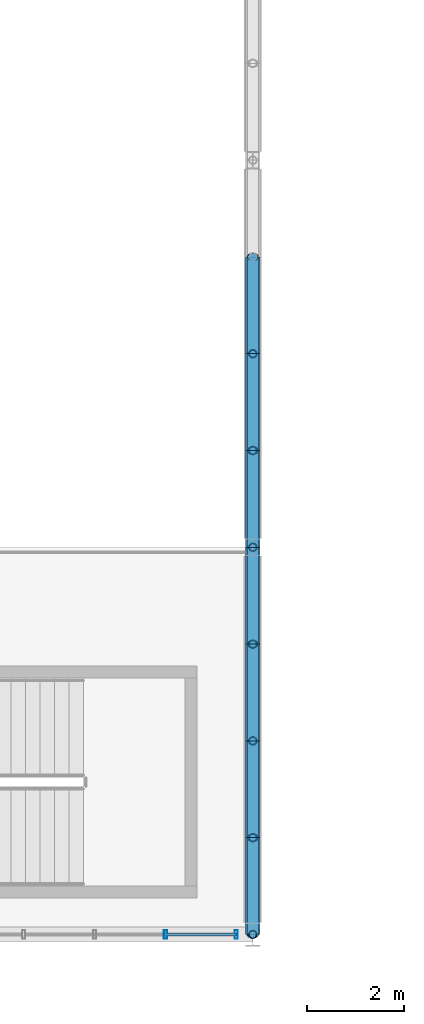
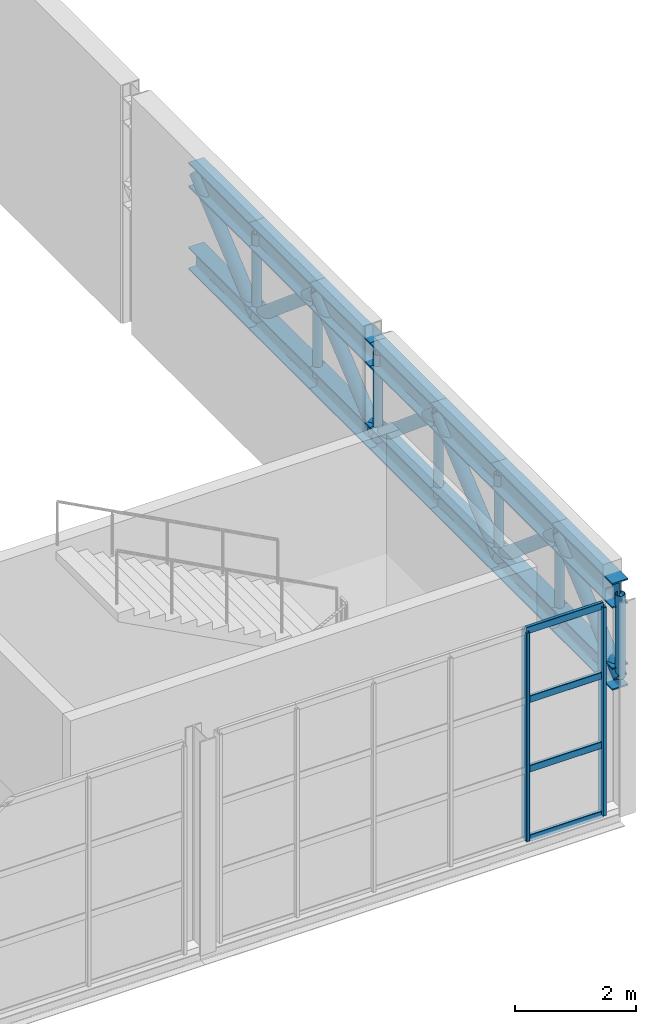
# One storey, part 86 of 143: 34 members, 1 element without a shape of its own.
"""IFC4 building model written with IfcOpenShell, lengths in metres."""

import ifcopenshell
import ifcopenshell.guid

model = None  # the IFC model being written
_history = None  # IfcOwnerHistory: only IFC2X3 demands one
_inside = {}  # id of a spatial element -> (the spatial element, [elements in it])
_under = {}  # id of a project, library or spatial element -> (it, [spatial elements below it])
_declared = {}  # id of a project -> (the project, [libraries it declares])
_typed = {}  # id of a type object -> (the type object, [elements of that type])
_made_of = {}  # id of a material, layer set ... -> (it, [elements and type objects made of it])


def new_model(schema):
    """Start an empty IFC model of exactly this schema.

    Asked for "IFC4X3", IfcOpenShell would pick the latest addendum, in which some entities
    have other attributes; the version numbers below select the first issue.
    IFC2X3 requires an IfcOwnerHistory on every rooted entity: one is made here for all.
    """
    global model, _history
    if schema == "IFC4X3":
        model = ifcopenshell.file(schema_version=(4, 3, 0, 0))
    else:
        model = ifcopenshell.file(schema=schema)
    _inside.clear()
    _under.clear()
    _declared.clear()
    _typed.clear()
    _made_of.clear()
    _history = None
    if model.schema == "IFC2X3":
        org = make("IfcOrganization", Name="unknown")
        user = make(
            "IfcPersonAndOrganization",
            ThePerson=make("IfcPerson", FamilyName="unknown"),
            TheOrganization=org,
        )
        app = make(
            "IfcApplication",
            ApplicationDeveloper=org,
            Version="unknown",
            ApplicationFullName="unknown",
            ApplicationIdentifier="unknown",
        )
        _history = make(
            "IfcOwnerHistory",
            OwningUser=user,
            OwningApplication=app,
            ChangeAction="ADDED",
            CreationDate=0,
        )
    return model


def make(cls, **values):
    """One entity of the class cls with the attributes given. An attribute that is None is left unset."""
    return model.create_entity(
        cls, **{name: value for name, value in values.items() if value is not None}
    )


def rooted(cls, **values):
    """An entity with a GlobalId (a new one), such as an element, a storey or a relation."""
    return make(cls, GlobalId=ifcopenshell.guid.new(), OwnerHistory=_history, **values)


def si_unit(unit_type, name, prefix=None):
    """IfcSIUnit, for example si_unit("LENGTHUNIT", "METRE", prefix="MILLI")."""
    return make("IfcSIUnit", UnitType=unit_type, Prefix=prefix, Name=name)


def derived_unit(unit_type, elements):
    """IfcDerivedUnit: a product of units, each with its exponent."""
    return make(
        "IfcDerivedUnit",
        Elements=[
            make("IfcDerivedUnitElement", Unit=unit, Exponent=power)
            for unit, power in elements
        ],
        UnitType=unit_type,
    )


def assignment(units):
    """IfcUnitAssignment: the units of a project."""
    return None if units is None else make("IfcUnitAssignment", Units=units)


def point(xyz):
    """IfcCartesianPoint."""
    return None if xyz is None else make("IfcCartesianPoint", Coordinates=xyz)


def direction(xyz):
    """IfcDirection."""
    return None if xyz is None else make("IfcDirection", DirectionRatios=xyz)


def frame(location, z_axis=None, x_axis=None):
    """IfcAxis2Placement3D, a coordinate frame: its origin and axes. An axis left out is left unset."""
    return make(
        "IfcAxis2Placement3D",
        Location=point(location),
        Axis=direction(z_axis),
        RefDirection=direction(x_axis),
    )


def frame_2d(location, x_axis=None):
    """IfcAxis2Placement2D, a coordinate frame in the plane: its origin and x axis."""
    return make(
        "IfcAxis2Placement2D", Location=point(location), RefDirection=direction(x_axis)
    )


def origin():
    """The frame at (0, 0, 0) with its axes left unset."""
    return frame((0.0, 0.0, 0.0))


def origin_2d():
    """The frame at (0, 0) in the plane with its x axis left unset."""
    return frame_2d((0.0, 0.0))


def place(relative_to, where):
    """IfcLocalPlacement: puts the frame where relative to a parent placement (None: the world)."""
    return make(
        "IfcLocalPlacement", PlacementRelTo=relative_to, RelativePlacement=where
    )


def context(
    kind, dimensions, precision=None, world=None, true_north=None, identifier=None
):
    """IfcGeometricRepresentationContext, for example the 3D "Model" context."""
    return make(
        "IfcGeometricRepresentationContext",
        ContextIdentifier=identifier,
        ContextType=kind,
        CoordinateSpaceDimension=dimensions,
        Precision=precision,
        WorldCoordinateSystem=world,
        TrueNorth=true_north,
    )


def subcontext(parent, identifier, kind, view, scale=None):
    """IfcGeometricRepresentationSubContext, for example "Body" below "Model"."""
    return make(
        "IfcGeometricRepresentationSubContext",
        ContextIdentifier=identifier,
        ContextType=kind,
        ParentContext=parent,
        TargetScale=scale,
        TargetView=view,
    )


def project(units=None, contexts=None):
    """IfcProject with its units and contexts."""
    return rooted(
        "IfcProject",
        Name="project",
        RepresentationContexts=contexts,
        UnitsInContext=assignment(units),
    )


def spatial(cls, under=None, at=None, **own):
    """A site, building, storey or space (cls), placed at a placement, below another one or the project."""
    s = rooted(cls, ObjectPlacement=at, **own)
    if under is not None:
        _under.setdefault(under.id(), (under, []))[1].append(s)
    return s


def profile(cls, at=None, kind="AREA", **sizes):
    """A parametric profile (cls). Its sizes go by their IFC names, for example OverallWidth=200.0."""
    return make(cls, ProfileType=kind, Position=at, **sizes)


def hollow_rectangle(**sizes):
    """IfcRectangleHollowProfileDef."""
    return profile("IfcRectangleHollowProfileDef", **sizes)


def hollow_circle(**sizes):
    """IfcCircleHollowProfileDef."""
    return profile("IfcCircleHollowProfileDef", **sizes)


def i_section(**sizes):
    """IfcIShapeProfileDef."""
    return profile("IfcIShapeProfileDef", **sizes)


def extrude(swept, where, along, depth):
    """IfcExtrudedAreaSolid: the profile swept, set in the frame where, extruded along a direction by depth."""
    return make(
        "IfcExtrudedAreaSolid",
        SweptArea=swept,
        Position=where,
        ExtrudedDirection=direction(along),
        Depth=depth,
    )


def shape(context_of_items, identifier, shape_type, items):
    """IfcShapeRepresentation: the items that make up one representation, for example the "Body"."""
    return make(
        "IfcShapeRepresentation",
        ContextOfItems=context_of_items,
        RepresentationIdentifier=identifier,
        RepresentationType=shape_type,
        Items=items,
    )


def material(Name=None, Category=None):
    """IfcMaterial."""
    return make("IfcMaterial", Name=Name, Category=Category)


def material_profile(
    of_material, cross_section, Name=None, Category=None, Priority=None
):
    """IfcMaterialProfile: a cross section and its material."""
    return make(
        "IfcMaterialProfile",
        Name=Name,
        Material=of_material,
        Profile=cross_section,
        Priority=Priority,
        Category=Category,
    )


def profile_set(profiles, Name=None, composite=None):
    """IfcMaterialProfileSet."""
    return make(
        "IfcMaterialProfileSet",
        Name=Name,
        MaterialProfiles=profiles,
        CompositeProfile=composite,
    )


def made_of(thing, what):
    """Note that an element or type object is made of a material, layer set ...; save() writes the relation."""
    if what is not None:
        _made_of.setdefault(what.id(), (what, []))[1].append(thing)
    return thing


def type_object(cls, material=None, **own):
    """A type object (cls), such as IfcWallType, which elements share."""
    return made_of(rooted(cls, **own), material)


def element(
    cls,
    number,
    at=None,
    inside=None,
    cuts=None,
    type_object=None,
    material=None,
    context=None,
    identifier="Body",
    shape_type=None,
    held_by="IfcProductDefinitionShape",
    body=None,
    shapes=None,
    **own,
):
    """One element of the class cls, such as IfcWall. Its Tag is "e" and its number.

    at: its placement. inside: the storey or other place that contains it. cuts: it is an
    opening in that element (IfcRelVoidsElement). A single representation is given by context,
    identifier, shape_type and body (its items); several are given by shapes. held_by: the class
    of the entity that holds the representations. save() writes the other relations.
    """
    e = rooted(cls, Tag="e%d" % number, ObjectPlacement=at, **own)
    if body is not None:
        shapes = [shape(context, identifier, shape_type, body)]
    if shapes is not None:
        e.Representation = make(held_by, Representations=shapes)
    if inside is not None:
        _inside.setdefault(inside.id(), (inside, []))[1].append(e)
    if cuts is not None:
        rooted(
            "IfcRelVoidsElement", RelatingBuildingElement=cuts, RelatedOpeningElement=e
        )
    if type_object is not None:
        _typed.setdefault(type_object.id(), (type_object, []))[1].append(e)
    return made_of(e, material)


def aggregate(whole, parts):
    """IfcRelAggregates: a whole, such as a stair, and the parts it consists of."""
    return rooted("IfcRelAggregates", RelatingObject=whole, RelatedObjects=parts)


def save(model, path):
    """Write the relations noted so far, then the file.

    IfcRelAggregates (storeys below a building ...), IfcRelContainedInSpatialStructure (elements
    in a storey), IfcRelDefinesByType, IfcRelAssociatesMaterial and IfcRelDeclares: one each for
    every whole, place, type object, material and project.
    """
    for whole, parts in _under.values():
        aggregate(whole, parts)
    for where, things in _inside.values():
        rooted(
            "IfcRelContainedInSpatialStructure",
            RelatedElements=things,
            RelatingStructure=where,
        )
    for kind, things in _typed.values():
        rooted("IfcRelDefinesByType", RelatedObjects=things, RelatingType=kind)
    for what, things in _made_of.values():
        rooted("IfcRelAssociatesMaterial", RelatedObjects=things, RelatingMaterial=what)
    for by, libraries in _declared.values():
        rooted("IfcRelDeclares", RelatingContext=by, RelatedDefinitions=libraries)
    model.write(path)


model = new_model("IFC4")

# Units and contexts
model_context = context("Model", 3, precision=1e-05, world=origin(), true_north=direction((0.0, 1.0)))
body_context = subcontext(model_context, "Body", "Model", "MODEL_VIEW")
ifc_project = project(units=[si_unit("LENGTHUNIT", "METRE"), si_unit("AREAUNIT", "SQUARE_METRE"), si_unit("VOLUMEUNIT", "CUBIC_METRE"), si_unit("PLANEANGLEUNIT", "RADIAN"), si_unit("MASSUNIT", "GRAM", prefix="KILO"), derived_unit("THERMALTRANSMITTANCEUNIT", [(si_unit("POWERUNIT", "WATT"), 1), (si_unit("LENGTHUNIT", "METRE"), -2), (si_unit("THERMODYNAMICTEMPERATUREUNIT", "KELVIN"), -1)])], contexts=[model_context])

# Site, building, storey
site_placement = place(None, origin())
site = spatial("IfcSite", under=ifc_project, at=site_placement, CompositionType="ELEMENT")
building_placement = place(site_placement, origin())
building = spatial("IfcBuilding", under=site, at=building_placement, Name="Keldorne Ridge Multi-Sports Centre", CompositionType="ELEMENT")
storey_placement = place(building_placement, frame((0.0, 0.0, 4.800048828125)))
storey = spatial("IfcBuildingStorey", under=building, at=storey_placement, Name="L01", CompositionType="ELEMENT", Elevation=4.800048828125)

# Curtain wall, members
ifc_material_1 = material(Name="Anodized aluminium", Category="aluminium")
curtain_wall_type = type_object("IfcCurtainWallType", Name="CW-CW-04", PredefinedType="NOTDEFINED", material=ifc_material_1)
curtain_wall_placement = place(storey_placement, origin())
curtain_wall = element("IfcCurtainWall", 1, at=curtain_wall_placement, inside=storey, type_object=curtain_wall_type, Name="Lower Courts high clerestory 132", PredefinedType="NOTDEFINED")
ifc_material_profile_1 = material_profile(ifc_material_1, hollow_rectangle(XDim=0.06494140625, YDim=0.179931640625, WallThickness=0.00439453125, InnerFilletRadius=0.00439453125, OuterFilletRadius=0.009033203125, at=origin_2d()), Name="ALU MULLION 180x65x4.5")
ifc_profile_set_1 = profile_set([ifc_material_profile_1], Name="Anodized aluminium")
member_type_1 = type_object("IfcMemberType", Name="MEM-ML-01", PredefinedType="MULLION", material=ifc_profile_set_1)
member_1_placement = place(storey_placement, frame((166.196044921875, 6.0, 0.0), z_axis=(0.0, 0.0, 1.0), x_axis=(1.0, 0.0, 0.0)))
member_1 = element("IfcMember", 2, at=member_1_placement, type_object=member_type_1, Name="CW-132 vertical mullion 5", PredefinedType="MULLION", context=body_context, shape_type="SweptSolid", body=[
    extrude(hollow_rectangle(XDim=0.06494140625, YDim=0.179931640625, WallThickness=0.00439453125, InnerFilletRadius=0.00439453125, OuterFilletRadius=0.009033203125, at=origin_2d()), origin(), (0.0, 0.0, 1.0), 4.199951171875),
])
member_2_placement = place(storey_placement, frame((167.659912109375, 6.0, 0.0), z_axis=(0.0, 0.0, 1.0), x_axis=(1.0, 0.0, 0.0)))
member_2 = element("IfcMember", 3, at=member_2_placement, type_object=member_type_1, Name="CW-132 vertical mullion 6", PredefinedType="MULLION", context=body_context, shape_type="SweptSolid", body=[
    extrude(hollow_rectangle(XDim=0.06494140625, YDim=0.179931640625, WallThickness=0.00439453125, InnerFilletRadius=0.00439453125, OuterFilletRadius=0.009033203125, at=origin_2d()), origin(), (0.0, 0.0, 1.0), 4.199951171875),
])

# Members
ifc_material_2 = material(Name="Steel S355", Category="steel")
ifc_material_profile_2 = material_profile(ifc_material_2, i_section(OverallWidth=0.300048828125, OverallDepth=0.5, WebThickness=0.014404296875, FlangeThickness=0.028076171875, FilletRadius=0.027099609375, at=origin_2d()), Name="HEB 500")
ifc_profile_set_2 = profile_set([ifc_material_profile_2], Name="Steel S355")
member_type_2 = type_object("IfcMemberType", Name="MEM-TC-03", PredefinedType="CHORD", material=ifc_profile_set_2)
for number, where, z_axis, x_axis, name in (
    (4, (168.0, 6.0, 4.31005859375), (0.0, 1.0, 0.0), (-1.0, 0.0, 0.0), "Stacked Courts Warren TRUSS WT-L02-09 top chord 1"),
    (5, (168.0, 8.0, 4.31005859375), (0.0, 1.0, 0.0), (-1.0, 0.0, 0.0), "Stacked Courts Warren TRUSS WT-L02-09 top chord 2"),
    (6, (168.0, 10.0, 4.31005859375), (0.0, 1.0, 0.0), (-1.0, 0.0, 0.0), "Stacked Courts Warren TRUSS WT-L02-09 top chord 3"),
    (7, (168.0, 12.0, 4.31005859375), (0.0, 1.0, 0.0), (-1.0, 0.0, 0.0), "Stacked Courts Warren TRUSS WT-L02-09 top chord 4"),
    (8, (168.0, 14.0, 4.31005859375), (0.0, 1.0, 0.0), (-1.0, 0.0, 0.0), "Stacked Courts Warren TRUSS WT-L02-09 top chord 5"),
    (9, (168.0, 16.0, 4.31005859375), (0.0, 1.0, 0.0), (-1.0, 0.0, 0.0), "Stacked Courts Warren TRUSS WT-L02-09 top chord 6"),
    (10, (168.0, 18.0, 4.31005859375), (0.0, 1.0, 0.0), (-1.0, 0.0, 0.0), "Stacked Courts Warren TRUSS WT-L02-09 top chord 7"),
):
    element("IfcMember", number, at=place(storey_placement, frame(where, z_axis=z_axis, x_axis=x_axis)), inside=storey, type_object=member_type_2, Name=name, PredefinedType="CHORD", context=body_context, shape_type="SweptSolid", body=[
        extrude(i_section(OverallWidth=0.300048828125, OverallDepth=0.5, WebThickness=0.014404296875, FlangeThickness=0.028076171875, FilletRadius=0.027099609375, at=origin_2d()), origin(), (0.0, 0.0, 1.0), 2.0),
    ])
ifc_material_profile_3 = material_profile(ifc_material_2, i_section(OverallWidth=0.300048828125, OverallDepth=0.449951171875, WebThickness=0.013916015625, FlangeThickness=0.02587890625, FilletRadius=0.027099609375, at=origin_2d()), Name="HEB 450")
ifc_profile_set_3 = profile_set([ifc_material_profile_3], Name="Steel S355")
member_type_3 = type_object("IfcMemberType", Name="MEM-TC-04", PredefinedType="CHORD", material=ifc_profile_set_3)
for number, where, z_axis, x_axis, name in (
    (11, (168.0, 6.0, 2.6298828125), (0.0, 1.0, 0.0), (-1.0, 0.0, 0.0), "Stacked Courts Warren TRUSS WT-L02-09 bottom chord 1"),
    (12, (168.0, 8.0, 2.6298828125), (0.0, 1.0, 0.0), (-1.0, 0.0, 0.0), "Stacked Courts Warren TRUSS WT-L02-09 bottom chord 2"),
    (13, (168.0, 10.0, 2.6298828125), (0.0, 1.0, 0.0), (-1.0, 0.0, 0.0), "Stacked Courts Warren TRUSS WT-L02-09 bottom chord 3"),
    (14, (168.0, 12.0, 2.6298828125), (0.0, 1.0, 0.0), (-1.0, 0.0, 0.0), "Stacked Courts Warren TRUSS WT-L02-09 bottom chord 4"),
    (15, (168.0, 14.0, 2.6298828125), (0.0, 1.0, 0.0), (-1.0, 0.0, 0.0), "Stacked Courts Warren TRUSS WT-L02-09 bottom chord 5"),
    (16, (168.0, 16.0, 2.6298828125), (0.0, 1.0, 0.0), (-1.0, 0.0, 0.0), "Stacked Courts Warren TRUSS WT-L02-09 bottom chord 6"),
    (17, (168.0, 18.0, 2.6298828125), (0.0, 1.0, 0.0), (-1.0, 0.0, 0.0), "Stacked Courts Warren TRUSS WT-L02-09 bottom chord 7"),
):
    element("IfcMember", number, at=place(storey_placement, frame(where, z_axis=z_axis, x_axis=x_axis)), inside=storey, type_object=member_type_3, Name=name, PredefinedType="CHORD", context=body_context, shape_type="SweptSolid", body=[
        extrude(i_section(OverallWidth=0.300048828125, OverallDepth=0.449951171875, WebThickness=0.013916015625, FlangeThickness=0.02587890625, FilletRadius=0.027099609375, at=origin_2d()), origin(), (0.0, 0.0, 1.0), 2.0),
    ])
ifc_material_profile_4 = material_profile(ifc_material_2, hollow_circle(Radius=0.122314453125, WallThickness=0.012451171875, at=origin_2d()), Name="CHS 244.5x12.5")
ifc_profile_set_4 = profile_set([ifc_material_profile_4], Name="Steel S355")
member_type_4 = type_object("IfcMemberType", Name="MEM-TD-02", PredefinedType="BRACE", material=ifc_profile_set_4)
for number, where, z_axis, x_axis, name in (
    (18, (168.0, 6.0, 2.6298828125), (0.0, 0.765671721121, 0.643231541108), (-1.0, 0.0, 0.0), "Stacked Courts Warren TRUSS WT-L02-09 diagonal 1"),
    (19, (168.0, 8.0, 4.31005859375), (0.0, 0.765671721121, -0.643231541108), (-1.0, 0.0, 0.0), "Stacked Courts Warren TRUSS WT-L02-09 diagonal 2"),
    (20, (168.0, 10.0, 2.6298828125), (0.0, 0.765671721121, 0.643231541108), (-1.0, 0.0, 0.0), "Stacked Courts Warren TRUSS WT-L02-09 diagonal 3"),
    (21, (168.0, 12.0, 4.31005859375), (0.0, 0.765671721121, -0.643231541108), (-1.0, 0.0, 0.0), "Stacked Courts Warren TRUSS WT-L02-09 diagonal 4"),
    (22, (168.0, 14.0, 2.6298828125), (0.0, 0.765671721121, 0.643231541108), (-1.0, 0.0, 0.0), "Stacked Courts Warren TRUSS WT-L02-09 diagonal 5"),
    (23, (168.0, 16.0, 4.31005859375), (0.0, 0.765671721121, -0.643231541108), (-1.0, 0.0, 0.0), "Stacked Courts Warren TRUSS WT-L02-09 diagonal 6"),
    (24, (168.0, 18.0, 2.6298828125), (0.0, 0.765671721121, 0.643231541108), (-1.0, 0.0, 0.0), "Stacked Courts Warren TRUSS WT-L02-09 diagonal 7"),
):
    element("IfcMember", number, at=place(storey_placement, frame(where, z_axis=z_axis, x_axis=x_axis)), inside=storey, type_object=member_type_4, Name=name, PredefinedType="BRACE", context=body_context, shape_type="SweptSolid", body=[
        extrude(hollow_circle(Radius=0.122314453125, WallThickness=0.012451171875, at=origin_2d()), origin(), (0.0, 0.0, 1.0), 2.612060546875),
    ])

# Member
ifc_material_profile_5 = material_profile(ifc_material_1, hollow_rectangle(XDim=0.06494140625, YDim=0.139892578125, WallThickness=0.00439453125, InnerFilletRadius=0.00439453125, OuterFilletRadius=0.009033203125, at=origin_2d()), Name="ALU TRANSOM 140x65x4.5")
ifc_profile_set_5 = profile_set([ifc_material_profile_5], Name="Anodized aluminium")
member_type_5 = type_object("IfcMemberType", Name="MEM-TR-01", PredefinedType="USERDEFINED", material=ifc_profile_set_5)
member_3_placement = place(storey_placement, frame((166.196044921875, 6.0, 0.0), z_axis=(1.0, 0.0, 0.0), x_axis=(0.0, 1.0, 0.0)))
member_3 = element("IfcMember", 25, at=member_3_placement, type_object=member_type_5, Name="CW-132 transom 5.1", ObjectType="TRANSOM", PredefinedType="USERDEFINED", context=body_context, shape_type="SweptSolid", body=[
    extrude(hollow_rectangle(XDim=0.06494140625, YDim=0.139892578125, WallThickness=0.00439453125, InnerFilletRadius=0.00439453125, OuterFilletRadius=0.009033203125, at=origin_2d()), origin(), (0.0, 0.0, 1.0), 1.4638671875),
])

member_4_placement = place(storey_placement, frame((166.196044921875, 6.0, 1.39990234375), z_axis=(1.0, 0.0, 0.0), x_axis=(0.0, 1.0, 0.0)))
member_4 = element("IfcMember", 26, at=member_4_placement, type_object=member_type_5, Name="CW-132 transom 5.2", ObjectType="TRANSOM", PredefinedType="USERDEFINED", context=body_context, shape_type="SweptSolid", body=[
    extrude(hollow_rectangle(XDim=0.06494140625, YDim=0.139892578125, WallThickness=0.00439453125, InnerFilletRadius=0.00439453125, OuterFilletRadius=0.009033203125, at=origin_2d()), origin(), (0.0, 0.0, 1.0), 1.4638671875),
])

member_5_placement = place(storey_placement, frame((166.196044921875, 6.0, 2.800048828125), z_axis=(1.0, 0.0, 0.0), x_axis=(0.0, 1.0, 0.0)))
member_5 = element("IfcMember", 27, at=member_5_placement, type_object=member_type_5, Name="CW-132 transom 5.3", ObjectType="TRANSOM", PredefinedType="USERDEFINED", context=body_context, shape_type="SweptSolid", body=[
    extrude(hollow_rectangle(XDim=0.06494140625, YDim=0.139892578125, WallThickness=0.00439453125, InnerFilletRadius=0.00439453125, OuterFilletRadius=0.009033203125, at=origin_2d()), origin(), (0.0, 0.0, 1.0), 1.4638671875),
])

member_6_placement = place(storey_placement, frame((166.196044921875, 6.0, 4.199951171875), z_axis=(1.0, 0.0, 0.0), x_axis=(0.0, 1.0, 0.0)))
member_6 = element("IfcMember", 28, at=member_6_placement, type_object=member_type_5, Name="CW-132 transom 5.4", ObjectType="TRANSOM", PredefinedType="USERDEFINED", context=body_context, shape_type="SweptSolid", body=[
    extrude(hollow_rectangle(XDim=0.06494140625, YDim=0.139892578125, WallThickness=0.00439453125, InnerFilletRadius=0.00439453125, OuterFilletRadius=0.009033203125, at=origin_2d()), origin(), (0.0, 0.0, 1.0), 1.4638671875),
])

aggregate(curtain_wall, [member_1, member_2, member_3, member_4, member_5, member_6])

# Members
ifc_material_profile_6 = material_profile(ifc_material_2, hollow_circle(Radius=0.084228515625, WallThickness=0.010009765625, at=origin_2d()), Name="CHS 168.3x10")
ifc_profile_set_6 = profile_set([ifc_material_profile_6], Name="Steel S355")
member_type_6 = type_object("IfcMemberType", Name="MEM-TV-01", PredefinedType="STRUT", material=ifc_profile_set_6)
for number, where, z_axis, x_axis, name in (
    (29, (168.0, 6.0, 2.6298828125), (0.0, 0.0, 1.0), (1.0, 0.0, 0.0), "Stacked Courts Warren TRUSS WT-L02-09 post 1"),
    (30, (168.0, 8.0, 2.6298828125), (0.0, 0.0, 1.0), (1.0, 0.0, 0.0), "Stacked Courts Warren TRUSS WT-L02-09 post 2"),
    (31, (168.0, 10.0, 2.6298828125), (0.0, 0.0, 1.0), (1.0, 0.0, 0.0), "Stacked Courts Warren TRUSS WT-L02-09 post 3"),
    (32, (168.0, 12.0, 2.6298828125), (0.0, 0.0, 1.0), (1.0, 0.0, 0.0), "Stacked Courts Warren TRUSS WT-L02-09 post 4"),
    (33, (168.0, 14.0, 2.6298828125), (0.0, 0.0, 1.0), (1.0, 0.0, 0.0), "Stacked Courts Warren TRUSS WT-L02-09 post 5"),
    (34, (168.0, 16.0, 2.6298828125), (0.0, 0.0, 1.0), (1.0, 0.0, 0.0), "Stacked Courts Warren TRUSS WT-L02-09 post 6"),
    (35, (168.0, 18.0, 2.6298828125), (0.0, 0.0, 1.0), (1.0, 0.0, 0.0), "Stacked Courts Warren TRUSS WT-L02-09 post 7"),
):
    element("IfcMember", number, at=place(storey_placement, frame(where, z_axis=z_axis, x_axis=x_axis)), inside=storey, type_object=member_type_6, Name=name, PredefinedType="STRUT", context=body_context, shape_type="SweptSolid", body=[
        extrude(hollow_circle(Radius=0.084228515625, WallThickness=0.010009765625, at=origin_2d()), origin(), (0.0, 0.0, 1.0), 1.68017578125),
    ])

save(model, "model.ifc")
